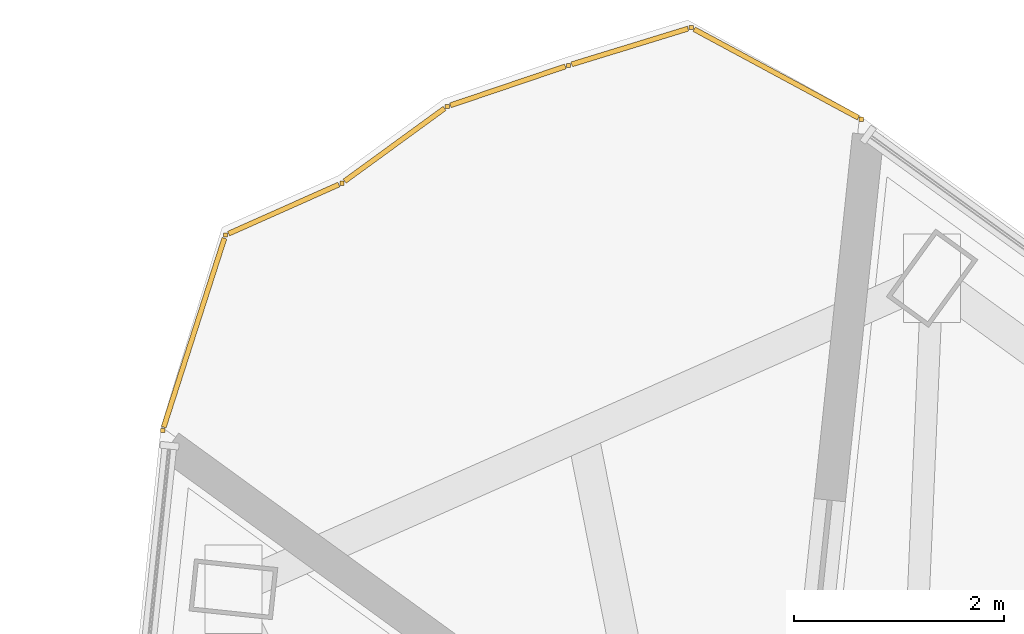
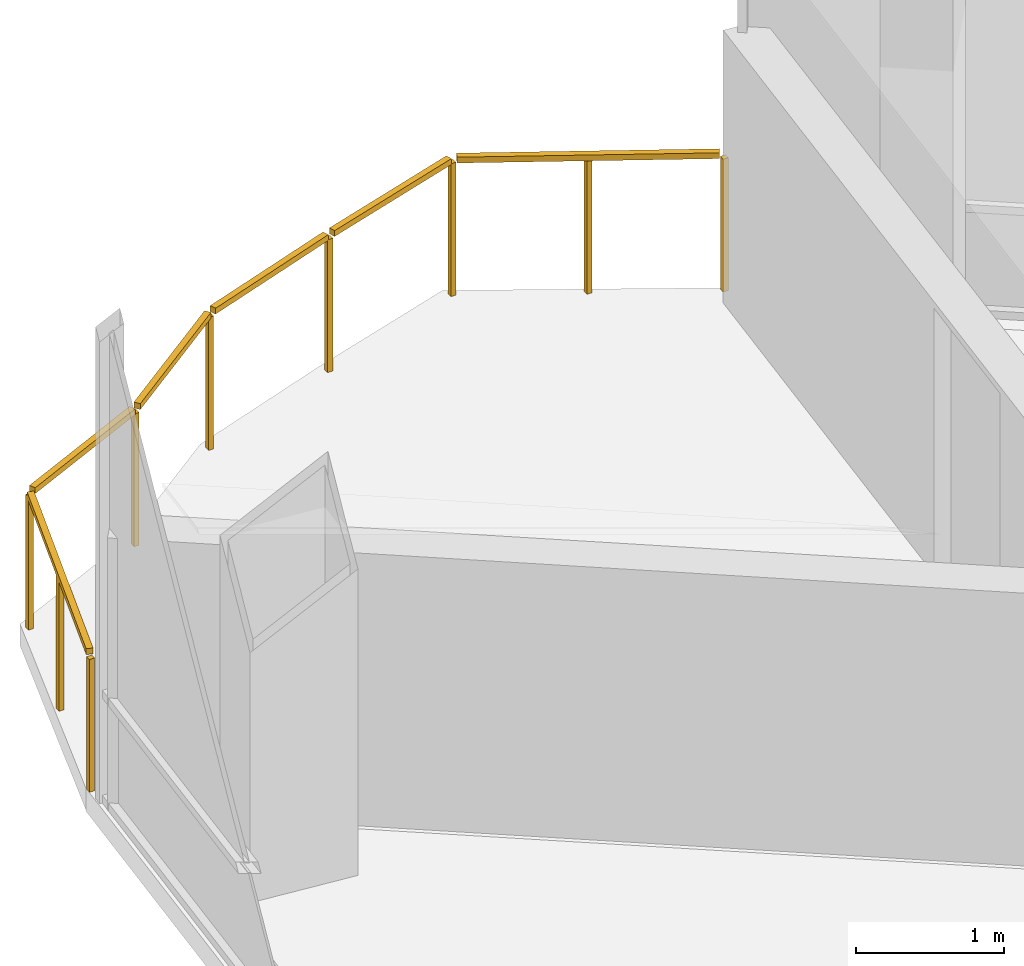
# One storey, part 18 of 18: 1 railing.
"""IFC4 building model written with IfcOpenShell, lengths in metres."""

from ifc_helpers import new_model, si_unit, direction, frame, origin, origin_2d, place, context, subcontext, project, spatial, rectangle, extrude, material, type_object, element, save


model = new_model("IFC4")

# Units and contexts
model_context = context("Model", 3, precision=1e-05, world=origin(), true_north=direction((0.0, 1.0)))
body_context = subcontext(model_context, "Body", "Model", "MODEL_VIEW")
ifc_project = project(units=[si_unit("LENGTHUNIT", "METRE"), si_unit("AREAUNIT", "SQUARE_METRE"), si_unit("VOLUMEUNIT", "CUBIC_METRE"), si_unit("PLANEANGLEUNIT", "RADIAN"), si_unit("MASSUNIT", "GRAM", prefix="KILO")], contexts=[model_context])

# Site, building, storey
site_placement = place(None, origin())
site = spatial("IfcSite", under=ifc_project, at=site_placement, CompositionType="ELEMENT")
building_placement = place(site_placement, origin())
building = spatial("IfcBuilding", under=site, at=building_placement, Name="Tharavind Bronze Gate", CompositionType="ELEMENT")
storey_placement = place(building_placement, frame((0.0, 0.0, 134.050048828125)))
storey = spatial("IfcBuildingStorey", under=building, at=storey_placement, Name="L34", CompositionType="ELEMENT", Elevation=134.050048828125)

# Railing
ifc_material = material(Name="Bronze Cap & Laminated Glass", Category="glass")
railing_type = type_object("IfcRailingType", Name="TERRACE GLASS GUARD RAILING 1150", PredefinedType="GUARDRAIL", material=ifc_material)
railing_placement = place(storey_placement, frame((-15.5927734375, 21.247802734375, 0.0)))
element("IfcRailing", 1, at=railing_placement, inside=storey, type_object=railing_type, Name="L34 tree balcony guard railing", PredefinedType="GUARDRAIL", context=body_context, shape_type="SweptSolid", body=[
    extrude(rectangle(XDim=0.048095703125, YDim=0.048095703125, at=origin_2d()), frame((0.009765625, 0.030517578125, 1.1259765625), z_axis=(0.305964803424, 0.952042824176, 0.0), x_axis=(-0.952042824176, 0.305964803424, 0.0)), (0.0, 0.0, 1.0), 1.89501953125),
    extrude(rectangle(XDim=0.048095703125, YDim=0.048095703125, at=origin_2d()), frame((0.628662109375, 1.8779296875, 1.1259765625), z_axis=(0.913480304847, 0.406882947119, 0.0), x_axis=(-0.406882947119, 0.913480304847, 0.0)), (0.0, 0.0, 1.0), 1.15283203125),
    extrude(rectangle(XDim=0.048095703125, YDim=0.048095703125, at=origin_2d()), frame((1.73681640625, 2.37890625, 1.1259765625), z_axis=(0.808328551704, 0.588731647272, 0.0), x_axis=(-0.588731647272, 0.808328551704, 0.0)), (0.0, 0.0, 1.0), 1.18017578125),
    extrude(rectangle(XDim=0.048095703125, YDim=0.048095703125, at=origin_2d()), frame((2.746826171875, 3.102783203125, 1.1259765625), z_axis=(0.947113235221, 0.32089954763, 0.0), x_axis=(-0.32089954763, 0.947113235221, 0.0)), (0.0, 0.0, 1.0), 1.157958984375),
    extrude(rectangle(XDim=0.048095703125, YDim=0.048095703125, at=origin_2d()), frame((3.904296875, 3.493896484375, 1.1259765625), z_axis=(0.955925323722, 0.293609903556, 0.0), x_axis=(-0.293609903556, 0.955925323722, 0.0)), (0.0, 0.0, 1.0), 1.16162109375),
    extrude(rectangle(XDim=0.048095703125, YDim=0.048095703125, at=origin_2d()), frame((5.073486328125, 3.829345703125, 1.1259765625), z_axis=(0.880237226365, -0.474533903236, 0.0), x_axis=(0.474533903236, 0.880237226365, 0.0)), (0.0, 0.0, 1.0), 1.780517578125),
    extrude(rectangle(XDim=0.0400390625, YDim=0.0400390625, at=origin_2d()), origin(), (0.0, 0.0, 1.0), 1.097900390625),
    extrude(rectangle(XDim=0.0400390625, YDim=0.0400390625, at=origin_2d()), frame((0.2998046875, 0.9326171875, 0.0)), (0.0, 0.0, 1.0), 1.097900390625),
    extrude(rectangle(XDim=0.0400390625, YDim=0.0400390625, at=origin_2d()), frame((0.599365234375, 1.864990234375, 0.0)), (0.0, 0.0, 1.0), 1.097900390625),
    extrude(rectangle(XDim=0.0400390625, YDim=0.0400390625, at=origin_2d()), frame((1.7109375, 2.360107421875, 0.0)), (0.0, 0.0, 1.0), 1.097900390625),
    extrude(rectangle(XDim=0.0400390625, YDim=0.0400390625, at=origin_2d()), frame((2.716552734375, 3.092529296875, 0.0)), (0.0, 0.0, 1.0), 1.097900390625),
    extrude(rectangle(XDim=0.0400390625, YDim=0.0400390625, at=origin_2d()), frame((3.873779296875, 3.484619140625, 0.0)), (0.0, 0.0, 1.0), 1.097900390625),
    extrude(rectangle(XDim=0.0400390625, YDim=0.0400390625, at=origin_2d()), frame((5.04541015625, 3.844482421875, 0.0)), (0.0, 0.0, 1.0), 1.097900390625),
    extrude(rectangle(XDim=0.0400390625, YDim=0.0400390625, at=origin_2d()), frame((5.857177734375, 3.40673828125, 0.0)), (0.0, 0.0, 1.0), 1.097900390625),
    extrude(rectangle(XDim=0.0400390625, YDim=0.0400390625, at=origin_2d()), frame((6.6689453125, 2.96923828125, 0.0)), (0.0, 0.0, 1.0), 1.097900390625),
])

save(model, "model.ifc")
